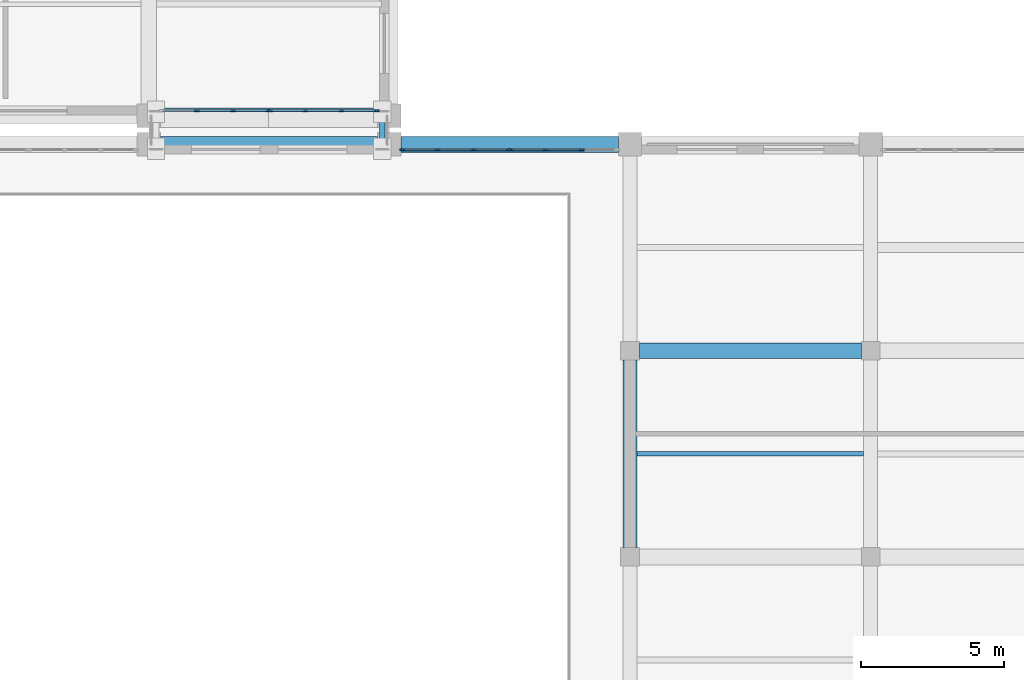
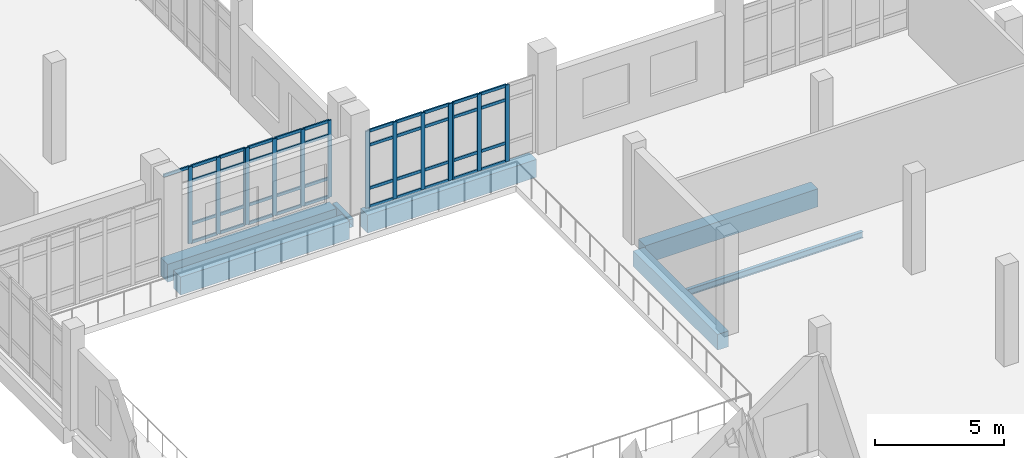
# One storey, part 5 of 90: 55 members, 7 beams, 4 elements without a shape of their own.
"""IFC4 building model written with IfcOpenShell, lengths in metres."""

from ifc_helpers import new_model, si_unit, direction, frame, origin, origin_2d, place, context, subcontext, project, spatial, rectangle, hollow_rectangle, i_section, extrude, material, layer, layer_set, material_profile, profile_set, type_object, element, aggregate, save


model = new_model("IFC4")

# Units and contexts
model_context = context("Model", 3, precision=1e-05, world=origin(), true_north=direction((0.0, 1.0)))
body_context = subcontext(model_context, "Body", "Model", "MODEL_VIEW")
ifc_project = project(units=[si_unit("LENGTHUNIT", "METRE"), si_unit("AREAUNIT", "SQUARE_METRE"), si_unit("VOLUMEUNIT", "CUBIC_METRE"), si_unit("PLANEANGLEUNIT", "RADIAN"), si_unit("MASSUNIT", "GRAM", prefix="KILO")], contexts=[model_context])

# Site, building, storey
site_placement = place(None, origin())
site = spatial("IfcSite", under=ifc_project, at=site_placement, CompositionType="ELEMENT")
building_placement = place(site_placement, origin())
building = spatial("IfcBuilding", under=site, at=building_placement, Name="Kelarvand Opera House", CompositionType="ELEMENT")
storey_placement = place(building_placement, frame((0.0, 0.0, 5.39990234375)))
storey = spatial("IfcBuildingStorey", under=building, at=storey_placement, Name="L01", CompositionType="ELEMENT", Elevation=5.39990234375)

# Curtain wall, members
ifc_material_1 = material(Name="Thermally broken aluminium and low-E glazing", Category="aluminium")
ifc_layer = layer(ifc_material_1, 0.179931640625, Name="Thermally broken aluminium and low-E glazing", Category="aluminium")
ifc_layer_set = layer_set([ifc_layer], Name="Thermally broken aluminium and low-E glazing")
curtain_wall_type = type_object("IfcCurtainWallType", Name="Unitised Low-E Curtain Wall 3776x3650 Mod 1350 CWF-27", PredefinedType="USERDEFINED", material=ifc_layer_set)
curtain_wall_1_placement = place(storey_placement, origin())
curtain_wall_1 = element("IfcCurtainWall", 1, at=curtain_wall_1_placement, inside=storey, type_object=curtain_wall_type, Name="V4 L01 Curtain Wall CWF-27 (125)", ObjectType="UNITISED CURTAIN WALL", PredefinedType="USERDEFINED")
ifc_material_2 = material(Name="Thermally broken anodised aluminium", Category="aluminium")
ifc_material_profile_1 = material_profile(ifc_material_2, rectangle(XDim=0.06494140625, YDim=0.179931640625, at=origin_2d()), Name="ALU MULLION 65x180", Category="aluminium")
ifc_profile_set_1 = profile_set([ifc_material_profile_1], Name="Thermally broken anodised aluminium")
member_type_1 = type_object("IfcMemberType", Name="Curtain Wall Mullion 65x180 Aluminium", PredefinedType="MULLION", material=ifc_profile_set_1)
member_1_placement = place(storey_placement, frame((26.25244140625, 37.6201171875, 0.0), z_axis=(0.0, 0.0, 1.0), x_axis=(0.0, 1.0, 0.0)))
member_1 = element("IfcMember", 2, at=member_1_placement, type_object=member_type_1, Name="CWF-27 mullion 1", PredefinedType="MULLION", context=body_context, shape_type="SweptSolid", body=[
    extrude(rectangle(XDim=0.06494140625, YDim=0.179931640625, at=origin_2d()), origin(), (0.0, 0.0, 1.0), 3.650146484375),
])
member_2_placement = place(storey_placement, frame((27.478759765625, 37.6201171875, 0.0), z_axis=(0.0, 0.0, 1.0), x_axis=(0.0, 1.0, 0.0)))
member_2 = element("IfcMember", 3, at=member_2_placement, type_object=member_type_1, Name="CWF-27 mullion 2", PredefinedType="MULLION", context=body_context, shape_type="SweptSolid", body=[
    extrude(rectangle(XDim=0.06494140625, YDim=0.179931640625, at=origin_2d()), origin(), (0.0, 0.0, 1.0), 3.650146484375),
])
member_3_placement = place(storey_placement, frame((28.7373046875, 37.6201171875, 0.0), z_axis=(0.0, 0.0, 1.0), x_axis=(0.0, 1.0, 0.0)))
member_3 = element("IfcMember", 4, at=member_3_placement, type_object=member_type_1, Name="CWF-27 mullion 3", PredefinedType="MULLION", context=body_context, shape_type="SweptSolid", body=[
    extrude(rectangle(XDim=0.06494140625, YDim=0.179931640625, at=origin_2d()), origin(), (0.0, 0.0, 1.0), 3.650146484375),
])
member_4_placement = place(storey_placement, frame((29.96337890625, 37.6201171875, 0.0), z_axis=(0.0, 0.0, 1.0), x_axis=(0.0, 1.0, 0.0)))
member_4 = element("IfcMember", 5, at=member_4_placement, type_object=member_type_1, Name="CWF-27 mullion 4", PredefinedType="MULLION", context=body_context, shape_type="SweptSolid", body=[
    extrude(rectangle(XDim=0.06494140625, YDim=0.179931640625, at=origin_2d()), origin(), (0.0, 0.0, 1.0), 3.650146484375),
])

curtain_wall_2_placement = place(storey_placement, origin())
curtain_wall_2 = element("IfcCurtainWall", 6, at=curtain_wall_2_placement, inside=storey, type_object=curtain_wall_type, Name="V4 L01 Curtain Wall CWF-27 (126)", ObjectType="UNITISED CURTAIN WALL", PredefinedType="USERDEFINED")
member_5_placement = place(storey_placement, frame((30.032470703125, 37.6201171875, 0.0), z_axis=(0.0, 0.0, 1.0), x_axis=(0.0, 1.0, 0.0)))
member_5 = element("IfcMember", 7, at=member_5_placement, type_object=member_type_1, Name="CWF-27 mullion 1", PredefinedType="MULLION", context=body_context, shape_type="SweptSolid", body=[
    extrude(rectangle(XDim=0.06494140625, YDim=0.179931640625, at=origin_2d()), origin(), (0.0, 0.0, 1.0), 3.650146484375),
])
member_6_placement = place(storey_placement, frame((31.260009765625, 37.6201171875, 0.0), z_axis=(0.0, 0.0, 1.0), x_axis=(0.0, 1.0, 0.0)))
member_6 = element("IfcMember", 8, at=member_6_placement, type_object=member_type_1, Name="CWF-27 mullion 2", PredefinedType="MULLION", context=body_context, shape_type="SweptSolid", body=[
    extrude(rectangle(XDim=0.06494140625, YDim=0.179931640625, at=origin_2d()), origin(), (0.0, 0.0, 1.0), 3.650146484375),
])
member_7_placement = place(storey_placement, frame((32.52001953125, 37.6201171875, 0.0), z_axis=(0.0, 0.0, 1.0), x_axis=(0.0, 1.0, 0.0)))
member_7 = element("IfcMember", 9, at=member_7_placement, type_object=member_type_1, Name="CWF-27 mullion 3", PredefinedType="MULLION", context=body_context, shape_type="SweptSolid", body=[
    extrude(rectangle(XDim=0.06494140625, YDim=0.179931640625, at=origin_2d()), origin(), (0.0, 0.0, 1.0), 3.650146484375),
])

curtain_wall_3_placement = place(storey_placement, origin())
curtain_wall_3 = element("IfcCurtainWall", 10, at=curtain_wall_3_placement, inside=storey, type_object=curtain_wall_type, Name="V4 L01 Curtain Wall CWF-27 (149)", ObjectType="UNITISED CURTAIN WALL", PredefinedType="USERDEFINED")
member_8_placement = place(storey_placement, frame((25.347412109375, 38.97998046875, 0.0), z_axis=(0.0, 0.0, 1.0), x_axis=(0.0, -1.0, 0.0)))
member_8 = element("IfcMember", 11, at=member_8_placement, type_object=member_type_1, Name="CWF-27 mullion 1", PredefinedType="MULLION", context=body_context, shape_type="SweptSolid", body=[
    extrude(rectangle(XDim=0.06494140625, YDim=0.179931640625, at=origin_2d()), origin(), (0.0, 0.0, 1.0), 3.650146484375),
])
member_9_placement = place(storey_placement, frame((24.121337890625, 38.97998046875, 0.0), z_axis=(0.0, 0.0, 1.0), x_axis=(0.0, -1.0, 0.0)))
member_9 = element("IfcMember", 12, at=member_9_placement, type_object=member_type_1, Name="CWF-27 mullion 2", PredefinedType="MULLION", context=body_context, shape_type="SweptSolid", body=[
    extrude(rectangle(XDim=0.06494140625, YDim=0.179931640625, at=origin_2d()), origin(), (0.0, 0.0, 1.0), 3.650146484375),
])
member_10_placement = place(storey_placement, frame((22.862548828125, 38.97998046875, 0.0), z_axis=(0.0, 0.0, 1.0), x_axis=(0.0, -1.0, 0.0)))
member_10 = element("IfcMember", 13, at=member_10_placement, type_object=member_type_1, Name="CWF-27 mullion 3", PredefinedType="MULLION", context=body_context, shape_type="SweptSolid", body=[
    extrude(rectangle(XDim=0.06494140625, YDim=0.179931640625, at=origin_2d()), origin(), (0.0, 0.0, 1.0), 3.650146484375),
])
member_11_placement = place(storey_placement, frame((21.636474609375, 38.97998046875, 0.0), z_axis=(0.0, 0.0, 1.0), x_axis=(0.0, -1.0, 0.0)))
member_11 = element("IfcMember", 14, at=member_11_placement, type_object=member_type_1, Name="CWF-27 mullion 4", PredefinedType="MULLION", context=body_context, shape_type="SweptSolid", body=[
    extrude(rectangle(XDim=0.06494140625, YDim=0.179931640625, at=origin_2d()), origin(), (0.0, 0.0, 1.0), 3.650146484375),
])

curtain_wall_4_placement = place(storey_placement, origin())
curtain_wall_4 = element("IfcCurtainWall", 15, at=curtain_wall_4_placement, inside=storey, type_object=curtain_wall_type, Name="V4 L01 Curtain Wall CWF-27 (150)", ObjectType="UNITISED CURTAIN WALL", PredefinedType="USERDEFINED")
member_12_placement = place(storey_placement, frame((21.5673828125, 38.97998046875, 0.0), z_axis=(0.0, 0.0, 1.0), x_axis=(0.0, -1.0, 0.0)))
member_12 = element("IfcMember", 16, at=member_12_placement, type_object=member_type_1, Name="CWF-27 mullion 1", PredefinedType="MULLION", context=body_context, shape_type="SweptSolid", body=[
    extrude(rectangle(XDim=0.06494140625, YDim=0.179931640625, at=origin_2d()), origin(), (0.0, 0.0, 1.0), 3.650146484375),
])
member_13_placement = place(storey_placement, frame((20.340087890625, 38.97998046875, 0.0), z_axis=(0.0, 0.0, 1.0), x_axis=(0.0, -1.0, 0.0)))
member_13 = element("IfcMember", 17, at=member_13_placement, type_object=member_type_1, Name="CWF-27 mullion 2", PredefinedType="MULLION", context=body_context, shape_type="SweptSolid", body=[
    extrude(rectangle(XDim=0.06494140625, YDim=0.179931640625, at=origin_2d()), origin(), (0.0, 0.0, 1.0), 3.650146484375),
])
member_14_placement = place(storey_placement, frame((19.080078125, 38.97998046875, 0.0), z_axis=(0.0, 0.0, 1.0), x_axis=(0.0, -1.0, 0.0)))
member_14 = element("IfcMember", 18, at=member_14_placement, type_object=member_type_1, Name="CWF-27 mullion 3", PredefinedType="MULLION", context=body_context, shape_type="SweptSolid", body=[
    extrude(rectangle(XDim=0.06494140625, YDim=0.179931640625, at=origin_2d()), origin(), (0.0, 0.0, 1.0), 3.650146484375),
])

# Member
ifc_material_profile_2 = material_profile(ifc_material_2, rectangle(XDim=0.06494140625, YDim=0.139892578125, at=origin_2d()), Name="ALU TRANSOM 65x140", Category="aluminium")
ifc_profile_set_2 = profile_set([ifc_material_profile_2], Name="Thermally broken anodised aluminium")
member_type_2 = type_object("IfcMemberType", Name="Curtain Wall Transom 65x140 Aluminium", PredefinedType="USERDEFINED", material=ifc_profile_set_2)
member_15_placement = place(storey_placement, frame((26.284912109375, 37.6201171875, 0.03271484375), z_axis=(1.0, 0.0, 0.0), x_axis=(0.0, 1.0, 0.0)))
member_15 = element("IfcMember", 19, at=member_15_placement, type_object=member_type_2, Name="CWF-27 transom 1.1", ObjectType="TRANSOM", PredefinedType="USERDEFINED", context=body_context, shape_type="SweptSolid", body=[
    extrude(rectangle(XDim=0.06494140625, YDim=0.139892578125, at=origin_2d()), origin(), (0.0, 0.0, 1.0), 1.1611328125),
])

member_16_placement = place(storey_placement, frame((26.284912109375, 37.6201171875, 0.900146484375), z_axis=(1.0, 0.0, 0.0), x_axis=(0.0, 1.0, 0.0)))
member_16 = element("IfcMember", 20, at=member_16_placement, type_object=member_type_2, Name="CWF-27 transom 1.2", ObjectType="TRANSOM", PredefinedType="USERDEFINED", context=body_context, shape_type="SweptSolid", body=[
    extrude(rectangle(XDim=0.06494140625, YDim=0.139892578125, at=origin_2d()), origin(), (0.0, 0.0, 1.0), 1.1611328125),
])

member_17_placement = place(storey_placement, frame((26.284912109375, 37.6201171875, 2.9501953125), z_axis=(1.0, 0.0, 0.0), x_axis=(0.0, 1.0, 0.0)))
member_17 = element("IfcMember", 21, at=member_17_placement, type_object=member_type_2, Name="CWF-27 transom 1.3", ObjectType="TRANSOM", PredefinedType="USERDEFINED", context=body_context, shape_type="SweptSolid", body=[
    extrude(rectangle(XDim=0.06494140625, YDim=0.139892578125, at=origin_2d()), origin(), (0.0, 0.0, 1.0), 1.1611328125),
])

member_18_placement = place(storey_placement, frame((26.284912109375, 37.6201171875, 3.61767578125), z_axis=(1.0, 0.0, 0.0), x_axis=(0.0, 1.0, 0.0)))
member_18 = element("IfcMember", 22, at=member_18_placement, type_object=member_type_2, Name="CWF-27 transom 1.4", ObjectType="TRANSOM", PredefinedType="USERDEFINED", context=body_context, shape_type="SweptSolid", body=[
    extrude(rectangle(XDim=0.06494140625, YDim=0.139892578125, at=origin_2d()), origin(), (0.0, 0.0, 1.0), 1.1611328125),
])

member_19_placement = place(storey_placement, frame((27.51123046875, 37.6201171875, 0.03271484375), z_axis=(1.0, 0.0, 0.0), x_axis=(0.0, 1.0, 0.0)))
member_19 = element("IfcMember", 23, at=member_19_placement, type_object=member_type_2, Name="CWF-27 transom 2.1", ObjectType="TRANSOM", PredefinedType="USERDEFINED", context=body_context, shape_type="SweptSolid", body=[
    extrude(rectangle(XDim=0.06494140625, YDim=0.139892578125, at=origin_2d()), origin(), (0.0, 0.0, 1.0), 1.193603515625),
])

member_20_placement = place(storey_placement, frame((27.51123046875, 37.6201171875, 0.900146484375), z_axis=(1.0, 0.0, 0.0), x_axis=(0.0, 1.0, 0.0)))
member_20 = element("IfcMember", 24, at=member_20_placement, type_object=member_type_2, Name="CWF-27 transom 2.2", ObjectType="TRANSOM", PredefinedType="USERDEFINED", context=body_context, shape_type="SweptSolid", body=[
    extrude(rectangle(XDim=0.06494140625, YDim=0.139892578125, at=origin_2d()), origin(), (0.0, 0.0, 1.0), 1.193603515625),
])

member_21_placement = place(storey_placement, frame((27.51123046875, 37.6201171875, 2.9501953125), z_axis=(1.0, 0.0, 0.0), x_axis=(0.0, 1.0, 0.0)))
member_21 = element("IfcMember", 25, at=member_21_placement, type_object=member_type_2, Name="CWF-27 transom 2.3", ObjectType="TRANSOM", PredefinedType="USERDEFINED", context=body_context, shape_type="SweptSolid", body=[
    extrude(rectangle(XDim=0.06494140625, YDim=0.139892578125, at=origin_2d()), origin(), (0.0, 0.0, 1.0), 1.193603515625),
])

member_22_placement = place(storey_placement, frame((27.51123046875, 37.6201171875, 3.61767578125), z_axis=(1.0, 0.0, 0.0), x_axis=(0.0, 1.0, 0.0)))
member_22 = element("IfcMember", 26, at=member_22_placement, type_object=member_type_2, Name="CWF-27 transom 2.4", ObjectType="TRANSOM", PredefinedType="USERDEFINED", context=body_context, shape_type="SweptSolid", body=[
    extrude(rectangle(XDim=0.06494140625, YDim=0.139892578125, at=origin_2d()), origin(), (0.0, 0.0, 1.0), 1.193603515625),
])

member_23_placement = place(storey_placement, frame((28.769775390625, 37.6201171875, 0.03271484375), z_axis=(1.0, 0.0, 0.0), x_axis=(0.0, 1.0, 0.0)))
member_23 = element("IfcMember", 27, at=member_23_placement, type_object=member_type_2, Name="CWF-27 transom 3.1", ObjectType="TRANSOM", PredefinedType="USERDEFINED", context=body_context, shape_type="SweptSolid", body=[
    extrude(rectangle(XDim=0.06494140625, YDim=0.139892578125, at=origin_2d()), origin(), (0.0, 0.0, 1.0), 1.1611328125),
])

member_24_placement = place(storey_placement, frame((28.769775390625, 37.6201171875, 0.900146484375), z_axis=(1.0, 0.0, 0.0), x_axis=(0.0, 1.0, 0.0)))
member_24 = element("IfcMember", 28, at=member_24_placement, type_object=member_type_2, Name="CWF-27 transom 3.2", ObjectType="TRANSOM", PredefinedType="USERDEFINED", context=body_context, shape_type="SweptSolid", body=[
    extrude(rectangle(XDim=0.06494140625, YDim=0.139892578125, at=origin_2d()), origin(), (0.0, 0.0, 1.0), 1.1611328125),
])

member_25_placement = place(storey_placement, frame((28.769775390625, 37.6201171875, 2.9501953125), z_axis=(1.0, 0.0, 0.0), x_axis=(0.0, 1.0, 0.0)))
member_25 = element("IfcMember", 29, at=member_25_placement, type_object=member_type_2, Name="CWF-27 transom 3.3", ObjectType="TRANSOM", PredefinedType="USERDEFINED", context=body_context, shape_type="SweptSolid", body=[
    extrude(rectangle(XDim=0.06494140625, YDim=0.139892578125, at=origin_2d()), origin(), (0.0, 0.0, 1.0), 1.1611328125),
])

member_26_placement = place(storey_placement, frame((28.769775390625, 37.6201171875, 3.61767578125), z_axis=(1.0, 0.0, 0.0), x_axis=(0.0, 1.0, 0.0)))
member_26 = element("IfcMember", 30, at=member_26_placement, type_object=member_type_2, Name="CWF-27 transom 3.4", ObjectType="TRANSOM", PredefinedType="USERDEFINED", context=body_context, shape_type="SweptSolid", body=[
    extrude(rectangle(XDim=0.06494140625, YDim=0.139892578125, at=origin_2d()), origin(), (0.0, 0.0, 1.0), 1.1611328125),
])

aggregate(curtain_wall_1, [member_1, member_2, member_3, member_4, member_15, member_16, member_17, member_18, member_19, member_20, member_21, member_22, member_23, member_24, member_25, member_26])

member_27_placement = place(storey_placement, frame((30.06494140625, 37.6201171875, 0.03271484375), z_axis=(1.0, 0.0, 0.0), x_axis=(0.0, 1.0, 0.0)))
member_27 = element("IfcMember", 31, at=member_27_placement, type_object=member_type_2, Name="CWF-27 transom 1.1", ObjectType="TRANSOM", PredefinedType="USERDEFINED", context=body_context, shape_type="SweptSolid", body=[
    extrude(rectangle(XDim=0.06494140625, YDim=0.139892578125, at=origin_2d()), origin(), (0.0, 0.0, 1.0), 1.16259765625),
])

member_28_placement = place(storey_placement, frame((30.06494140625, 37.6201171875, 0.900146484375), z_axis=(1.0, 0.0, 0.0), x_axis=(0.0, 1.0, 0.0)))
member_28 = element("IfcMember", 32, at=member_28_placement, type_object=member_type_2, Name="CWF-27 transom 1.2", ObjectType="TRANSOM", PredefinedType="USERDEFINED", context=body_context, shape_type="SweptSolid", body=[
    extrude(rectangle(XDim=0.06494140625, YDim=0.139892578125, at=origin_2d()), origin(), (0.0, 0.0, 1.0), 1.16259765625),
])

member_29_placement = place(storey_placement, frame((30.06494140625, 37.6201171875, 2.9501953125), z_axis=(1.0, 0.0, 0.0), x_axis=(0.0, 1.0, 0.0)))
member_29 = element("IfcMember", 33, at=member_29_placement, type_object=member_type_2, Name="CWF-27 transom 1.3", ObjectType="TRANSOM", PredefinedType="USERDEFINED", context=body_context, shape_type="SweptSolid", body=[
    extrude(rectangle(XDim=0.06494140625, YDim=0.139892578125, at=origin_2d()), origin(), (0.0, 0.0, 1.0), 1.16259765625),
])

member_30_placement = place(storey_placement, frame((30.06494140625, 37.6201171875, 3.61767578125), z_axis=(1.0, 0.0, 0.0), x_axis=(0.0, 1.0, 0.0)))
member_30 = element("IfcMember", 34, at=member_30_placement, type_object=member_type_2, Name="CWF-27 transom 1.4", ObjectType="TRANSOM", PredefinedType="USERDEFINED", context=body_context, shape_type="SweptSolid", body=[
    extrude(rectangle(XDim=0.06494140625, YDim=0.139892578125, at=origin_2d()), origin(), (0.0, 0.0, 1.0), 1.16259765625),
])

member_31_placement = place(storey_placement, frame((31.29248046875, 37.6201171875, 0.03271484375), z_axis=(1.0, 0.0, 0.0), x_axis=(0.0, 1.0, 0.0)))
member_31 = element("IfcMember", 35, at=member_31_placement, type_object=member_type_2, Name="CWF-27 transom 2.1", ObjectType="TRANSOM", PredefinedType="USERDEFINED", context=body_context, shape_type="SweptSolid", body=[
    extrude(rectangle(XDim=0.06494140625, YDim=0.139892578125, at=origin_2d()), origin(), (0.0, 0.0, 1.0), 1.195068359375),
])

member_32_placement = place(storey_placement, frame((31.29248046875, 37.6201171875, 0.900146484375), z_axis=(1.0, 0.0, 0.0), x_axis=(0.0, 1.0, 0.0)))
member_32 = element("IfcMember", 36, at=member_32_placement, type_object=member_type_2, Name="CWF-27 transom 2.2", ObjectType="TRANSOM", PredefinedType="USERDEFINED", context=body_context, shape_type="SweptSolid", body=[
    extrude(rectangle(XDim=0.06494140625, YDim=0.139892578125, at=origin_2d()), origin(), (0.0, 0.0, 1.0), 1.195068359375),
])

member_33_placement = place(storey_placement, frame((31.29248046875, 37.6201171875, 2.9501953125), z_axis=(1.0, 0.0, 0.0), x_axis=(0.0, 1.0, 0.0)))
member_33 = element("IfcMember", 37, at=member_33_placement, type_object=member_type_2, Name="CWF-27 transom 2.3", ObjectType="TRANSOM", PredefinedType="USERDEFINED", context=body_context, shape_type="SweptSolid", body=[
    extrude(rectangle(XDim=0.06494140625, YDim=0.139892578125, at=origin_2d()), origin(), (0.0, 0.0, 1.0), 1.195068359375),
])

member_34_placement = place(storey_placement, frame((31.29248046875, 37.6201171875, 3.61767578125), z_axis=(1.0, 0.0, 0.0), x_axis=(0.0, 1.0, 0.0)))
member_34 = element("IfcMember", 38, at=member_34_placement, type_object=member_type_2, Name="CWF-27 transom 2.4", ObjectType="TRANSOM", PredefinedType="USERDEFINED", context=body_context, shape_type="SweptSolid", body=[
    extrude(rectangle(XDim=0.06494140625, YDim=0.139892578125, at=origin_2d()), origin(), (0.0, 0.0, 1.0), 1.195068359375),
])

aggregate(curtain_wall_2, [member_5, member_6, member_7, member_27, member_28, member_29, member_30, member_31, member_32, member_33, member_34])

member_35_placement = place(storey_placement, frame((25.31494140625, 38.97998046875, 0.03271484375), z_axis=(-1.0, 0.0, 0.0), x_axis=(0.0, -1.0, 0.0)))
member_35 = element("IfcMember", 39, at=member_35_placement, type_object=member_type_2, Name="CWF-27 transom 1.1", ObjectType="TRANSOM", PredefinedType="USERDEFINED", context=body_context, shape_type="SweptSolid", body=[
    extrude(rectangle(XDim=0.06494140625, YDim=0.139892578125, at=origin_2d()), origin(), (0.0, 0.0, 1.0), 1.1611328125),
])

member_36_placement = place(storey_placement, frame((25.31494140625, 38.97998046875, 0.900146484375), z_axis=(-1.0, 0.0, 0.0), x_axis=(0.0, -1.0, 0.0)))
member_36 = element("IfcMember", 40, at=member_36_placement, type_object=member_type_2, Name="CWF-27 transom 1.2", ObjectType="TRANSOM", PredefinedType="USERDEFINED", context=body_context, shape_type="SweptSolid", body=[
    extrude(rectangle(XDim=0.06494140625, YDim=0.139892578125, at=origin_2d()), origin(), (0.0, 0.0, 1.0), 1.1611328125),
])

member_37_placement = place(storey_placement, frame((25.31494140625, 38.97998046875, 2.9501953125), z_axis=(-1.0, 0.0, 0.0), x_axis=(0.0, -1.0, 0.0)))
member_37 = element("IfcMember", 41, at=member_37_placement, type_object=member_type_2, Name="CWF-27 transom 1.3", ObjectType="TRANSOM", PredefinedType="USERDEFINED", context=body_context, shape_type="SweptSolid", body=[
    extrude(rectangle(XDim=0.06494140625, YDim=0.139892578125, at=origin_2d()), origin(), (0.0, 0.0, 1.0), 1.1611328125),
])

member_38_placement = place(storey_placement, frame((25.31494140625, 38.97998046875, 3.61767578125), z_axis=(-1.0, 0.0, 0.0), x_axis=(0.0, -1.0, 0.0)))
member_38 = element("IfcMember", 42, at=member_38_placement, type_object=member_type_2, Name="CWF-27 transom 1.4", ObjectType="TRANSOM", PredefinedType="USERDEFINED", context=body_context, shape_type="SweptSolid", body=[
    extrude(rectangle(XDim=0.06494140625, YDim=0.139892578125, at=origin_2d()), origin(), (0.0, 0.0, 1.0), 1.1611328125),
])

member_39_placement = place(storey_placement, frame((24.0888671875, 38.97998046875, 0.03271484375), z_axis=(-1.0, 0.0, 0.0), x_axis=(0.0, -1.0, 0.0)))
member_39 = element("IfcMember", 43, at=member_39_placement, type_object=member_type_2, Name="CWF-27 transom 2.1", ObjectType="TRANSOM", PredefinedType="USERDEFINED", context=body_context, shape_type="SweptSolid", body=[
    extrude(rectangle(XDim=0.06494140625, YDim=0.139892578125, at=origin_2d()), origin(), (0.0, 0.0, 1.0), 1.193603515625),
])

member_40_placement = place(storey_placement, frame((24.0888671875, 38.97998046875, 0.900146484375), z_axis=(-1.0, 0.0, 0.0), x_axis=(0.0, -1.0, 0.0)))
member_40 = element("IfcMember", 44, at=member_40_placement, type_object=member_type_2, Name="CWF-27 transom 2.2", ObjectType="TRANSOM", PredefinedType="USERDEFINED", context=body_context, shape_type="SweptSolid", body=[
    extrude(rectangle(XDim=0.06494140625, YDim=0.139892578125, at=origin_2d()), origin(), (0.0, 0.0, 1.0), 1.193603515625),
])

member_41_placement = place(storey_placement, frame((24.0888671875, 38.97998046875, 2.9501953125), z_axis=(-1.0, 0.0, 0.0), x_axis=(0.0, -1.0, 0.0)))
member_41 = element("IfcMember", 45, at=member_41_placement, type_object=member_type_2, Name="CWF-27 transom 2.3", ObjectType="TRANSOM", PredefinedType="USERDEFINED", context=body_context, shape_type="SweptSolid", body=[
    extrude(rectangle(XDim=0.06494140625, YDim=0.139892578125, at=origin_2d()), origin(), (0.0, 0.0, 1.0), 1.193603515625),
])

member_42_placement = place(storey_placement, frame((24.0888671875, 38.97998046875, 3.61767578125), z_axis=(-1.0, 0.0, 0.0), x_axis=(0.0, -1.0, 0.0)))
member_42 = element("IfcMember", 46, at=member_42_placement, type_object=member_type_2, Name="CWF-27 transom 2.4", ObjectType="TRANSOM", PredefinedType="USERDEFINED", context=body_context, shape_type="SweptSolid", body=[
    extrude(rectangle(XDim=0.06494140625, YDim=0.139892578125, at=origin_2d()), origin(), (0.0, 0.0, 1.0), 1.193603515625),
])

member_43_placement = place(storey_placement, frame((22.830078125, 38.97998046875, 0.03271484375), z_axis=(-1.0, 0.0, 0.0), x_axis=(0.0, -1.0, 0.0)))
member_43 = element("IfcMember", 47, at=member_43_placement, type_object=member_type_2, Name="CWF-27 transom 3.1", ObjectType="TRANSOM", PredefinedType="USERDEFINED", context=body_context, shape_type="SweptSolid", body=[
    extrude(rectangle(XDim=0.06494140625, YDim=0.139892578125, at=origin_2d()), origin(), (0.0, 0.0, 1.0), 1.1611328125),
])

member_44_placement = place(storey_placement, frame((22.830078125, 38.97998046875, 0.900146484375), z_axis=(-1.0, 0.0, 0.0), x_axis=(0.0, -1.0, 0.0)))
member_44 = element("IfcMember", 48, at=member_44_placement, type_object=member_type_2, Name="CWF-27 transom 3.2", ObjectType="TRANSOM", PredefinedType="USERDEFINED", context=body_context, shape_type="SweptSolid", body=[
    extrude(rectangle(XDim=0.06494140625, YDim=0.139892578125, at=origin_2d()), origin(), (0.0, 0.0, 1.0), 1.1611328125),
])

member_45_placement = place(storey_placement, frame((22.830078125, 38.97998046875, 2.9501953125), z_axis=(-1.0, 0.0, 0.0), x_axis=(0.0, -1.0, 0.0)))
member_45 = element("IfcMember", 49, at=member_45_placement, type_object=member_type_2, Name="CWF-27 transom 3.3", ObjectType="TRANSOM", PredefinedType="USERDEFINED", context=body_context, shape_type="SweptSolid", body=[
    extrude(rectangle(XDim=0.06494140625, YDim=0.139892578125, at=origin_2d()), origin(), (0.0, 0.0, 1.0), 1.1611328125),
])

member_46_placement = place(storey_placement, frame((22.830078125, 38.97998046875, 3.61767578125), z_axis=(-1.0, 0.0, 0.0), x_axis=(0.0, -1.0, 0.0)))
member_46 = element("IfcMember", 50, at=member_46_placement, type_object=member_type_2, Name="CWF-27 transom 3.4", ObjectType="TRANSOM", PredefinedType="USERDEFINED", context=body_context, shape_type="SweptSolid", body=[
    extrude(rectangle(XDim=0.06494140625, YDim=0.139892578125, at=origin_2d()), origin(), (0.0, 0.0, 1.0), 1.1611328125),
])

aggregate(curtain_wall_3, [member_8, member_9, member_10, member_11, member_35, member_36, member_37, member_38, member_39, member_40, member_41, member_42, member_43, member_44, member_45, member_46])

member_47_placement = place(storey_placement, frame((21.534912109375, 38.97998046875, 0.03271484375), z_axis=(-1.0, 0.0, 0.0), x_axis=(0.0, -1.0, 0.0)))
member_47 = element("IfcMember", 51, at=member_47_placement, type_object=member_type_2, Name="CWF-27 transom 1.1", ObjectType="TRANSOM", PredefinedType="USERDEFINED", context=body_context, shape_type="SweptSolid", body=[
    extrude(rectangle(XDim=0.06494140625, YDim=0.139892578125, at=origin_2d()), origin(), (0.0, 0.0, 1.0), 1.162353515625),
])

member_48_placement = place(storey_placement, frame((21.534912109375, 38.97998046875, 0.900146484375), z_axis=(-1.0, 0.0, 0.0), x_axis=(0.0, -1.0, 0.0)))
member_48 = element("IfcMember", 52, at=member_48_placement, type_object=member_type_2, Name="CWF-27 transom 1.2", ObjectType="TRANSOM", PredefinedType="USERDEFINED", context=body_context, shape_type="SweptSolid", body=[
    extrude(rectangle(XDim=0.06494140625, YDim=0.139892578125, at=origin_2d()), origin(), (0.0, 0.0, 1.0), 1.162353515625),
])

member_49_placement = place(storey_placement, frame((21.534912109375, 38.97998046875, 2.9501953125), z_axis=(-1.0, 0.0, 0.0), x_axis=(0.0, -1.0, 0.0)))
member_49 = element("IfcMember", 53, at=member_49_placement, type_object=member_type_2, Name="CWF-27 transom 1.3", ObjectType="TRANSOM", PredefinedType="USERDEFINED", context=body_context, shape_type="SweptSolid", body=[
    extrude(rectangle(XDim=0.06494140625, YDim=0.139892578125, at=origin_2d()), origin(), (0.0, 0.0, 1.0), 1.162353515625),
])

member_50_placement = place(storey_placement, frame((21.534912109375, 38.97998046875, 3.61767578125), z_axis=(-1.0, 0.0, 0.0), x_axis=(0.0, -1.0, 0.0)))
member_50 = element("IfcMember", 54, at=member_50_placement, type_object=member_type_2, Name="CWF-27 transom 1.4", ObjectType="TRANSOM", PredefinedType="USERDEFINED", context=body_context, shape_type="SweptSolid", body=[
    extrude(rectangle(XDim=0.06494140625, YDim=0.139892578125, at=origin_2d()), origin(), (0.0, 0.0, 1.0), 1.162353515625),
])

member_51_placement = place(storey_placement, frame((20.3076171875, 38.97998046875, 0.03271484375), z_axis=(-1.0, 0.0, 0.0), x_axis=(0.0, -1.0, 0.0)))
member_51 = element("IfcMember", 55, at=member_51_placement, type_object=member_type_2, Name="CWF-27 transom 2.1", ObjectType="TRANSOM", PredefinedType="USERDEFINED", context=body_context, shape_type="SweptSolid", body=[
    extrude(rectangle(XDim=0.06494140625, YDim=0.139892578125, at=origin_2d()), origin(), (0.0, 0.0, 1.0), 1.195068359375),
])

member_52_placement = place(storey_placement, frame((20.3076171875, 38.97998046875, 0.900146484375), z_axis=(-1.0, 0.0, 0.0), x_axis=(0.0, -1.0, 0.0)))
member_52 = element("IfcMember", 56, at=member_52_placement, type_object=member_type_2, Name="CWF-27 transom 2.2", ObjectType="TRANSOM", PredefinedType="USERDEFINED", context=body_context, shape_type="SweptSolid", body=[
    extrude(rectangle(XDim=0.06494140625, YDim=0.139892578125, at=origin_2d()), origin(), (0.0, 0.0, 1.0), 1.195068359375),
])

member_53_placement = place(storey_placement, frame((20.3076171875, 38.97998046875, 2.9501953125), z_axis=(-1.0, 0.0, 0.0), x_axis=(0.0, -1.0, 0.0)))
member_53 = element("IfcMember", 57, at=member_53_placement, type_object=member_type_2, Name="CWF-27 transom 2.3", ObjectType="TRANSOM", PredefinedType="USERDEFINED", context=body_context, shape_type="SweptSolid", body=[
    extrude(rectangle(XDim=0.06494140625, YDim=0.139892578125, at=origin_2d()), origin(), (0.0, 0.0, 1.0), 1.195068359375),
])

member_54_placement = place(storey_placement, frame((20.3076171875, 38.97998046875, 3.61767578125), z_axis=(-1.0, 0.0, 0.0), x_axis=(0.0, -1.0, 0.0)))
member_54 = element("IfcMember", 58, at=member_54_placement, type_object=member_type_2, Name="CWF-27 transom 2.4", ObjectType="TRANSOM", PredefinedType="USERDEFINED", context=body_context, shape_type="SweptSolid", body=[
    extrude(rectangle(XDim=0.06494140625, YDim=0.139892578125, at=origin_2d()), origin(), (0.0, 0.0, 1.0), 1.195068359375),
])

member_55_placement = place(storey_placement, frame((19.047607421875, 38.97998046875, 3.61767578125), z_axis=(-1.0, 0.0, 0.0), x_axis=(0.0, -1.0, 0.0)))
member_55 = element("IfcMember", 59, at=member_55_placement, type_object=member_type_2, Name="CWF-27 transom 3.4", ObjectType="TRANSOM", PredefinedType="USERDEFINED", context=body_context, shape_type="SweptSolid", body=[
    extrude(rectangle(XDim=0.06494140625, YDim=0.139892578125, at=origin_2d()), origin(), (0.0, 0.0, 1.0), 1.16259765625),
])

aggregate(curtain_wall_4, [member_12, member_13, member_14, member_47, member_48, member_49, member_50, member_51, member_52, member_53, member_54, member_55])

# Beams
ifc_material_3 = material(Name="Concrete C40/50", Category="concrete")
ifc_material_profile_3 = material_profile(ifc_material_3, rectangle(XDim=0.5, YDim=0.75, at=origin_2d()), Name="RC 500x750", Category="concrete")
ifc_profile_set_3 = profile_set([ifc_material_profile_3], Name="Concrete C40/50")
beam_type_1 = type_object("IfcBeamType", Name="Structural Beam RC 500x750 BM-RC500x750", PredefinedType="BEAM", material=ifc_profile_set_3)
beam_1_placement = place(storey_placement, frame((34.199951171875, 23.72509765625, -0.6748046875), z_axis=(0.0, 1.0, 0.0), x_axis=(-1.0, 0.0, 0.0)))
element("IfcBeam", 60, at=beam_1_placement, inside=storey, type_object=beam_type_1, Name="V4 L01 Beam BM-RC500x750", PredefinedType="BEAM", context=body_context, shape_type="SweptSolid", body=[
    extrude(rectangle(XDim=0.5, YDim=0.75, at=origin_2d()), origin(), (0.0, 0.0, 1.0), 6.5498046875),
])
ifc_material_profile_4 = material_profile(ifc_material_3, rectangle(XDim=0.550048828125, YDim=0.85009765625, at=origin_2d()), Name="RC 550x850", Category="concrete")
ifc_profile_set_4 = profile_set([ifc_material_profile_4], Name="Concrete C40/50")
beam_type_2 = type_object("IfcBeamType", Name="Structural Beam RC 550x850 BM-RC550x850", PredefinedType="BEAM", material=ifc_profile_set_4)
beam_2_placement = place(storey_placement, frame((34.52490234375, 30.60009765625, -0.724853515625), z_axis=(1.0, 0.0, 0.0), x_axis=(0.0, 1.0, 0.0)))
element("IfcBeam", 61, at=beam_2_placement, inside=storey, type_object=beam_type_2, Name="V4 L01 Beam BM-RC550x850", PredefinedType="BEAM", context=body_context, shape_type="SweptSolid", body=[
    extrude(rectangle(XDim=0.550048828125, YDim=0.85009765625, at=origin_2d()), origin(), (0.0, 0.0, 1.0), 7.75),
])
beam_3_placement = place(storey_placement, frame((17.81005859375, 37.800048828125, -0.724853515625), z_axis=(1.0, 0.0, 0.0), x_axis=(0.0, 1.0, 0.0)))
element("IfcBeam", 62, at=beam_3_placement, inside=storey, type_object=beam_type_2, Name="V4 L01 Beam BM-RC550x850", PredefinedType="BEAM", context=body_context, shape_type="SweptSolid", body=[
    extrude(rectangle(XDim=0.550048828125, YDim=0.85009765625, at=origin_2d()), origin(), (0.0, 0.0, 1.0), 7.579833984375),
])
beam_4_placement = place(storey_placement, frame((26.2099609375, 37.800048828125, -0.724853515625), z_axis=(1.0, 0.0, 0.0), x_axis=(0.0, 1.0, 0.0)))
element("IfcBeam", 63, at=beam_4_placement, inside=storey, type_object=beam_type_2, Name="V4 L01 Beam BM-RC550x850", PredefinedType="BEAM", context=body_context, shape_type="SweptSolid", body=[
    extrude(rectangle(XDim=0.550048828125, YDim=0.85009765625, at=origin_2d()), origin(), (0.0, 0.0, 1.0), 7.580078125),
])
beam_5_placement = place(storey_placement, frame((17.81005859375, 38.800048828125, -0.724853515625), z_axis=(1.0, 0.0, 0.0), x_axis=(0.0, 1.0, 0.0)))
element("IfcBeam", 64, at=beam_5_placement, inside=storey, type_object=beam_type_2, Name="V4 L01 Beam BM-RC550x850", PredefinedType="BEAM", context=body_context, shape_type="SweptSolid", body=[
    extrude(rectangle(XDim=0.550048828125, YDim=0.85009765625, at=origin_2d()), origin(), (0.0, 0.0, 1.0), 7.579833984375),
])
ifc_material_4 = material(Name="Steel S355", Category="steel")
ifc_material_profile_5 = material_profile(ifc_material_4, hollow_rectangle(XDim=0.199951171875, YDim=0.39990234375, WallThickness=0.01611328125, at=origin_2d()), Name="RHS 400x200x16.0", Category="steel")
ifc_profile_set_5 = profile_set([ifc_material_profile_5], Name="Steel S355")
beam_type_3 = type_object("IfcBeamType", Name="Structural Beam RHS 400x200x16.0 BM-RHS400", PredefinedType="BEAM", material=ifc_profile_set_5)
beam_6_placement = place(storey_placement, frame((25.550048828125, 37.64990234375, -0.52001953125), z_axis=(0.0, 1.0, 0.0), x_axis=(-1.0, 0.0, 0.0)))
element("IfcBeam", 65, at=beam_6_placement, inside=storey, type_object=beam_type_3, Name="Seismic Sliding Corbel Beam BR-JS-W L01 2", PredefinedType="BEAM", context=body_context, shape_type="SweptSolid", body=[
    extrude(hollow_rectangle(XDim=0.199951171875, YDim=0.39990234375, WallThickness=0.01611328125, at=origin_2d()), origin(), (0.0, 0.0, 1.0), 1.300048828125),
])
ifc_material_profile_6 = material_profile(ifc_material_4, i_section(OverallWidth=0.14990234375, OverallDepth=0.300048828125, WebThickness=0.007080078125, FlangeThickness=0.0107421875, at=origin_2d()), Name="IPE 300", Category="steel")
ifc_profile_set_6 = profile_set([ifc_material_profile_6], Name="Steel S355")
beam_type_4 = type_object("IfcBeamType", Name="Structural Joist IPE 300 JS-IPE300", PredefinedType="JOIST", material=ifc_profile_set_6)
beam_7_placement = place(storey_placement, frame((34.449951171875, 27.0, -0.449951171875), z_axis=(1.0, 0.0, 0.0), x_axis=(0.0, 1.0, 0.0)))
element("IfcBeam", 66, at=beam_7_placement, inside=storey, type_object=beam_type_4, Name="V4 L01 Beam JS-IPE300", PredefinedType="JOIST", context=body_context, shape_type="SweptSolid", body=[
    extrude(i_section(OverallWidth=0.14990234375, OverallDepth=0.300048828125, WebThickness=0.007080078125, FlangeThickness=0.0107421875, at=origin_2d()), origin(), (0.0, 0.0, 1.0), 7.900146484375),
])

save(model, "model.ifc")
